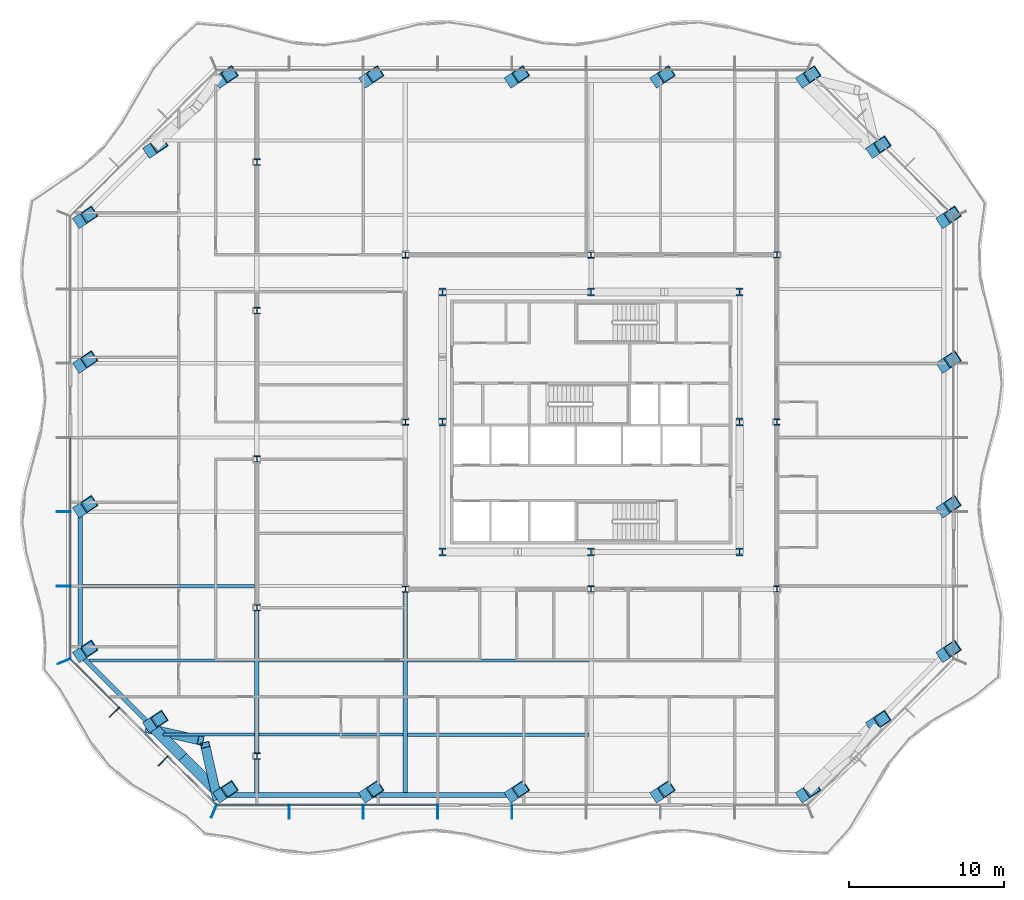
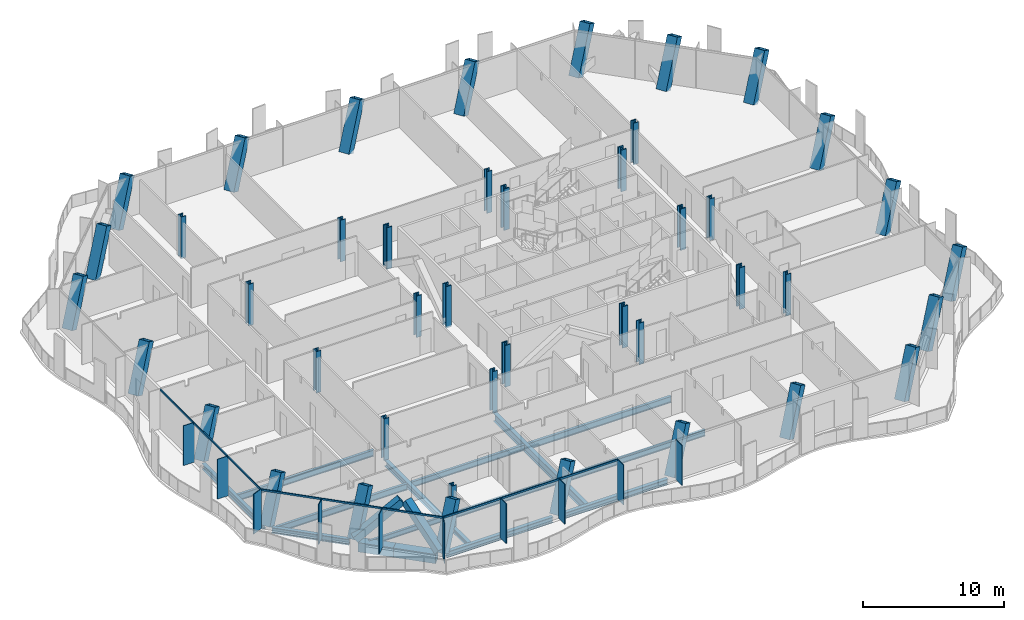
# One storey, part 1 of 19: 43 columns, 21 members, 16 beams, 3 elements without a shape of their own.
"""IFC4 building model written with IfcOpenShell, lengths in metres."""

from ifc_helpers import new_model, si_unit, direction, frame, origin, origin_2d, place, context, subcontext, project, spatial, rectangle, hollow_rectangle, i_section, extrude, clip, halfspace, material, material_profile, profile_set, type_object, element, aggregate, save


model = new_model("IFC4")

# Units and contexts
model_context = context("Model", 3, precision=1e-05, world=origin(), true_north=direction((0.0, 1.0)))
body_context = subcontext(model_context, "Body", "Model", "MODEL_VIEW")
ifc_project = project(units=[si_unit("LENGTHUNIT", "METRE"), si_unit("AREAUNIT", "SQUARE_METRE"), si_unit("VOLUMEUNIT", "CUBIC_METRE"), si_unit("PLANEANGLEUNIT", "RADIAN"), si_unit("MASSUNIT", "GRAM", prefix="KILO")], contexts=[model_context])

# Site, building, storey
site_placement = place(None, origin())
site = spatial("IfcSite", under=ifc_project, at=site_placement, CompositionType="ELEMENT")
building_placement = place(site_placement, origin())
building = spatial("IfcBuilding", under=site, at=building_placement, Name="Cairn Pilgrim Tower", CompositionType="ELEMENT")
storey_placement = place(building_placement, frame((0.0, 0.0, 97.800048828125)))
storey = spatial("IfcBuildingStorey", under=building, at=storey_placement, Name="L23", CompositionType="ELEMENT", Elevation=97.800048828125)

# Columns
ifc_material_1 = material(Name="Structural steel S460M", Category="steel")
ifc_material_profile_1 = material_profile(ifc_material_1, hollow_rectangle(XDim=0.800048828125, YDim=0.800048828125, WallThickness=0.050048828125, at=origin_2d()), Name="BOX 800x800x50")
ifc_profile_set_1 = profile_set([ifc_material_profile_1], Name="Structural steel S460M")
column_type_1 = type_object("IfcColumnType", Name="BOX 800x800x50", PredefinedType="COLUMN", material=ifc_profile_set_1)
for number, where, z_axis, x_axis, name in (
    (1, (-16.739990234375, -21.70849609375, -0.150146484375), (0.375067615339, 0.250065254836, 0.892631868268), (-0.554731184678, 0.832029634536, 0.0), "PC1-S1"),
    (2, (-7.326416015625, -21.70849609375, -0.150146484375), (0.375067615339, 0.250065254836, 0.892631868268), (-0.554731184678, 0.832029634536, 0.0), "PC1-S2"),
    (3, (2.087158203125, -21.70849609375, -0.150146484375), (0.375119631758, 0.25005957702, 0.892611600759), (-0.554669210465, 0.832070950678, 0.0), "PC1-S3"),
    (4, (11.500732421875, -21.70849609375, -0.150146484375), (0.375119631758, 0.25005957702, 0.892611600759), (-0.554669210465, 0.832070950678, 0.0), "PC1-S4"),
    (5, (20.914306640625, -21.70849609375, -0.150146484375), (0.375119631758, 0.25005957702, 0.892611600759), (-0.554669210465, 0.832070950678, 0.0), "PC1-SE1"),
    (6, (25.45068359375, -17.172119140625, -0.150146484375), (0.375119631758, 0.25005957702, 0.892611600759), (-0.554669210465, 0.832070950678, 0.0), "PC1-SE2"),
    (7, (29.987060546875, -12.6357421875, -0.150146484375), (0.375119631758, 0.25005957702, 0.892611600759), (-0.554669210465, 0.832070950678, 0.0), "PC1-E1"),
    (8, (29.987060546875, -3.284423828125, -0.150146484375), (0.375113953119, 0.250116323106, 0.892598088219), (-0.554762160823, 0.832008981273, 0.0), "PC1-E2"),
    (9, (29.987060546875, 6.067138671875, -0.150146484375), (0.375119631758, 0.25005957702, 0.892611600759), (-0.554669210465, 0.832070950678, 0.0), "PC1-E3"),
    (10, (29.987060546875, 15.418701171875, -0.150146484375), (0.375119631758, 0.25005957702, 0.892611600759), (-0.554669210465, 0.832070950678, 0.0), "PC1-NE1"),
    (11, (25.45068359375, 19.955078125, -0.150146484375), (0.375119631758, 0.25005957702, 0.892611600759), (-0.554669210465, 0.832070950678, 0.0), "PC1-NE2"),
    (12, (20.914306640625, 24.491455078125, -0.150146484375), (0.375119631758, 0.25005957702, 0.892611600759), (-0.554669210465, 0.832070950678, 0.0), "PC1-N1"),
    (13, (11.500732421875, 24.491455078125, -0.150146484375), (0.375119631758, 0.25005957702, 0.892611600759), (-0.554669210465, 0.832070950678, 0.0), "PC1-N2"),
    (14, (2.087158203125, 24.491455078125, -0.150146484375), (0.375119631758, 0.25005957702, 0.892611600759), (-0.554669210465, 0.832070950678, 0.0), "PC1-N3"),
    (15, (-7.326416015625, 24.491455078125, -0.150146484375), (0.375067615339, 0.250065254836, 0.892631868268), (-0.554731184678, 0.832029634536, 0.0), "PC1-N4"),
    (16, (-16.739990234375, 24.491455078125, -0.150146484375), (0.375067615339, 0.250065254836, 0.892631868268), (-0.554731184678, 0.832029634536, 0.0), "PC1-NW1"),
    (17, (-21.276611328125, 19.955078125, -0.150146484375), (0.375119631758, 0.25005957702, 0.892611600759), (-0.554669210465, 0.832070950678, 0.0), "PC1-NW2"),
    (18, (-25.81298828125, 15.418701171875, -0.150146484375), (0.375119631758, 0.25005957702, 0.892611600759), (-0.554669210465, 0.832070950678, 0.0), "PC1-W1"),
    (19, (-25.81298828125, 6.067138671875, -0.150146484375), (0.375119631758, 0.25005957702, 0.892611600759), (-0.554669210465, 0.832070950678, 0.0), "PC1-W2"),
    (20, (-25.81298828125, -3.284423828125, -0.150146484375), (0.375113953119, 0.250116323106, 0.892598088219), (-0.554762160823, 0.832008981273, 0.0), "PC1-W3"),
    (21, (-25.81298828125, -12.6357421875, -0.150146484375), (0.375119631758, 0.25005957702, 0.892611600759), (-0.554669210465, 0.832070950678, 0.0), "PC1-SW1"),
    (22, (-21.276611328125, -17.172119140625, -0.150146484375), (0.375119631758, 0.25005957702, 0.892611600759), (-0.554669210465, 0.832070950678, 0.0), "PC1-SW2"),
):
    element("IfcColumn", number, at=place(storey_placement, frame(where, z_axis=z_axis, x_axis=x_axis)), inside=storey, type_object=column_type_1, Name=name, PredefinedType="COLUMN", context=body_context, shape_type="Clipping", body=[
        clip(extrude(hollow_rectangle(XDim=0.800048828125, YDim=0.800048828125, WallThickness=0.050048828125, at=origin_2d()), origin(), (0.0, 0.0, 1.0), 4.033203125), halfspace(frame((0.0, 0.0, 0.0244140625), z_axis=(0.0, 0.0, 1.0), x_axis=(1.0, 0.0, 0.0)), True)),
    ])
ifc_material_profile_2 = material_profile(ifc_material_1, i_section(OverallWidth=0.408935546875, OverallDepth=0.425048828125, WebThickness=0.03271484375, FlangeThickness=0.052490234375, FilletRadius=0.014892578125, at=origin_2d()), Name="HD 400x421")
ifc_profile_set_2 = profile_set([ifc_material_profile_2], Name="Structural steel S460M")
column_type_2 = type_object("IfcColumnType", Name="HD 400x421", PredefinedType="COLUMN", material=ifc_profile_set_2)
for number, where, z_axis, x_axis, name in (
    (23, (-4.800048828125, -8.39990234375, -0.150146484375), (0.0, 0.0, 1.0), (1.0, 0.0, 0.0), "IC-1"),
    (24, (7.199951171875, -8.39990234375, -0.150146484375), (0.0, 0.0, 1.0), (1.0, 0.0, 0.0), "IC-2"),
    (25, (19.199951171875, -8.39990234375, -0.150146484375), (0.0, 0.0, 1.0), (1.0, 0.0, 0.0), "IC-3"),
    (26, (-4.800048828125, 2.39990234375, -0.150146484375), (0.0, 0.0, 1.0), (1.0, 0.0, 0.0), "IC-4"),
    (27, (19.199951171875, 2.39990234375, -0.150146484375), (0.0, 0.0, 1.0), (1.0, 0.0, 0.0), "IC-5"),
    (28, (-4.800048828125, 13.199951171875, -0.150146484375), (0.0, 0.0, 1.0), (1.0, 0.0, 0.0), "IC-6"),
    (29, (7.199951171875, 13.199951171875, -0.150146484375), (0.0, 0.0, 1.0), (1.0, 0.0, 0.0), "IC-7"),
    (30, (19.199951171875, 13.199951171875, -0.150146484375), (0.0, 0.0, 1.0), (1.0, 0.0, 0.0), "IC-8"),
    (31, (-14.39990234375, -19.199951171875, -0.150146484375), (0.0, 0.0, 1.0), (1.0, 0.0, 0.0), "WC-WW-4"),
    (32, (-14.39990234375, -9.60009765625, -0.150146484375), (0.0, 0.0, 1.0), (1.0, 0.0, 0.0), "WC-WW-2"),
    (33, (-14.39990234375, 0.0, -0.150146484375), (0.0, 0.0, 1.0), (1.0, 0.0, 0.0), "WC-WW+0"),
    (34, (-14.39990234375, 9.60009765625, -0.150146484375), (0.0, 0.0, 1.0), (1.0, 0.0, 0.0), "WC-WW+2"),
    (35, (-14.39990234375, 19.199951171875, -0.150146484375), (0.0, 0.0, 1.0), (1.0, 0.0, 0.0), "WC-WW+4"),
):
    element("IfcColumn", number, at=place(storey_placement, frame(where, z_axis=z_axis, x_axis=x_axis)), inside=storey, type_object=column_type_2, Name=name, PredefinedType="COLUMN", context=body_context, shape_type="SweptSolid", body=[
        extrude(i_section(OverallWidth=0.408935546875, OverallDepth=0.425048828125, WebThickness=0.03271484375, FlangeThickness=0.052490234375, FilletRadius=0.014892578125, at=origin_2d()), origin(), (0.0, 0.0, 1.0), 3.60009765625),
    ])
ifc_material_profile_3 = material_profile(ifc_material_1, i_section(OverallWidth=0.43701171875, OverallDepth=0.513916015625, WebThickness=0.060546875, FlangeThickness=0.096923828125, FilletRadius=0.014892578125, at=origin_2d()), Name="HD 400x818")
ifc_profile_set_3 = profile_set([ifc_material_profile_3], Name="Structural steel S460M")
column_type_3 = type_object("IfcColumnType", Name="HD 400x818", PredefinedType="COLUMN", material=ifc_profile_set_3)
for number, where, z_axis, x_axis, name in (
    (36, (-2.39990234375, -6.0, -0.150146484375), (0.0, 0.0, 1.0), (1.0, 0.0, 0.0), "KC-1"),
    (37, (7.199951171875, -6.0, -0.150146484375), (0.0, 0.0, 1.0), (1.0, 0.0, 0.0), "KC-2"),
    (38, (16.800048828125, -6.0, -0.150146484375), (0.0, 0.0, 1.0), (1.0, 0.0, 0.0), "KC-3"),
    (39, (-2.39990234375, 2.39990234375, -0.150146484375), (0.0, 0.0, 1.0), (1.0, 0.0, 0.0), "KC-4"),
    (40, (16.800048828125, 2.39990234375, -0.150146484375), (0.0, 0.0, 1.0), (1.0, 0.0, 0.0), "KC-5"),
    (41, (-2.39990234375, 10.800048828125, -0.150146484375), (0.0, 0.0, 1.0), (1.0, 0.0, 0.0), "KC-6"),
    (42, (7.199951171875, 10.800048828125, -0.150146484375), (0.0, 0.0, 1.0), (1.0, 0.0, 0.0), "KC-7"),
    (43, (16.800048828125, 10.800048828125, -0.150146484375), (0.0, 0.0, 1.0), (1.0, 0.0, 0.0), "KC-8"),
):
    element("IfcColumn", number, at=place(storey_placement, frame(where, z_axis=z_axis, x_axis=x_axis)), inside=storey, type_object=column_type_3, Name=name, PredefinedType="COLUMN", context=body_context, shape_type="SweptSolid", body=[
        extrude(i_section(OverallWidth=0.43701171875, OverallDepth=0.513916015625, WebThickness=0.060546875, FlangeThickness=0.096923828125, FilletRadius=0.014892578125, at=origin_2d()), origin(), (0.0, 0.0, 1.0), 3.60009765625),
    ])

# Members
ifc_material_profile_4 = material_profile(ifc_material_1, hollow_rectangle(XDim=0.60009765625, YDim=0.60009765625, WallThickness=0.034912109375, at=origin_2d()), Name="BOX 600x600x35")
ifc_profile_set_4 = profile_set([ifc_material_profile_4], Name="Structural steel S460M")
member_type_1 = type_object("IfcMemberType", Name="BOX 600x600x35 BRACE", PredefinedType="BRACE", material=ifc_profile_set_4)
member_1_placement = place(storey_placement, frame((-21.407470703125, -17.416259765625, 0.14990234375), z_axis=(0.781023546903, -0.176978476928, 0.598899689336), x_axis=(0.220995456501, 0.975274837267, 0.0)))
element("IfcMember", 44, at=member_1_placement, inside=storey, type_object=member_type_1, Name="XB-SW2-S1-1", PredefinedType="BRACE", context=body_context, shape_type="SweptSolid", body=[
    extrude(hollow_rectangle(XDim=0.60009765625, YDim=0.60009765625, WallThickness=0.034912109375, at=origin_2d()), origin(), (0.0, 0.0, 1.0), 4.31787109375),
])
member_2_placement = place(storey_placement, frame((-16.984130859375, -21.83935546875, 0.14990234375), z_axis=(-0.176986292734, 0.781001493686, 0.598926138222), x_axis=(-0.975271388606, -0.221010675234, 0.0)))
element("IfcMember", 45, at=member_2_placement, inside=storey, type_object=member_type_1, Name="XB-SW2-S1-2", PredefinedType="BRACE", context=body_context, shape_type="SweptSolid", body=[
    extrude(hollow_rectangle(XDim=0.60009765625, YDim=0.60009765625, WallThickness=0.034912109375, at=origin_2d()), origin(), (0.0, 0.0, 1.0), 4.317626953125),
])

# Beams
ifc_material_2 = material(Name="Structural steel S355J2", Category="steel")
ifc_material_profile_5 = material_profile(ifc_material_2, hollow_rectangle(XDim=0.699951171875, YDim=0.800048828125, WallThickness=0.0400390625, at=origin_2d()), Name="BOX 700x800x40")
ifc_profile_set_5 = profile_set([ifc_material_profile_5], Name="Structural steel S355J2")
beam_type_1 = type_object("IfcBeamType", Name="BOX 700x800x40 RING GIRDER", PredefinedType="SPANDREL", material=ifc_profile_set_5)
beam_1_placement = place(storey_placement, frame((-21.02197265625, -17.4267578125, -0.550048828125), z_axis=(0.707153847901, -0.707059711339, 0.0), x_axis=(0.707059711339, 0.707153847901, 0.0)))
element("IfcBeam", 46, at=beam_1_placement, inside=storey, type_object=beam_type_1, Name="RG1-SW2-S1-1", PredefinedType="SPANDREL", context=body_context, shape_type="SweptSolid", body=[
    extrude(hollow_rectangle(XDim=0.699951171875, YDim=0.800048828125, WallThickness=0.0400390625, at=origin_2d()), origin(), (0.0, 0.0, 1.0), 2.593505859375),
])
beam_2_placement = place(storey_placement, frame((-19.18798828125, -19.260498046875, -0.550048828125), z_axis=(0.70706742861, -0.707146131574, 0.0), x_axis=(0.707146131574, 0.70706742861, 0.0)))
element("IfcBeam", 47, at=beam_2_placement, inside=storey, type_object=beam_type_1, Name="RG1-SW2-S1-2", PredefinedType="SPANDREL", context=body_context, shape_type="SweptSolid", body=[
    extrude(hollow_rectangle(XDim=0.699951171875, YDim=0.800048828125, WallThickness=0.0400390625, at=origin_2d()), origin(), (0.0, 0.0, 1.0), 3.10205078125),
])

# Curtain wall, members
ifc_material_3 = material(Name="Aluminium alloy 6063-T6 bronze anodised with Bronze tinted laminated low-E glass 8+16+8.8", Category="aluminium")
curtain_wall_type_1 = type_object("IfcCurtainWallType", Name="TOWER STICK CURTAIN WALL NS", PredefinedType="NOTDEFINED", material=ifc_material_3)
curtain_wall_1_placement = place(storey_placement, origin())
curtain_wall_1 = element("IfcCurtainWall", 48, at=curtain_wall_1_placement, inside=storey, type_object=curtain_wall_type_1, Name="Tower Stick Curtain Wall Ns S", PredefinedType="NOTDEFINED")
ifc_material_4 = material(Name="Aluminium alloy 6063-T6 bronze anodised", Category="aluminium")
ifc_material_profile_6 = material_profile(ifc_material_4, rectangle(XDim=0.89990234375, YDim=0.06005859375, at=origin_2d()), Name="FIN MULLION 60x900 BRONZE")
ifc_profile_set_6 = profile_set([ifc_material_profile_6], Name="Aluminium alloy 6063-T6 bronze anodised")
member_type_2 = type_object("IfcMemberType", Name="FIN MULLION 60x900 BRONZE", PredefinedType="MULLION", material=ifc_profile_set_6)
member_3_placement = place(storey_placement, frame((-17.170166015625, -22.74658203125, 0.0), z_axis=(0.0, 0.0, 1.0), x_axis=(-0.382683432365, -0.923879532511, 0.0)))
member_3 = element("IfcMember", 49, at=member_3_placement, type_object=member_type_2, Name="Fin mullion S1", PredefinedType="MULLION", context=body_context, shape_type="SweptSolid", body=[
    extrude(rectangle(XDim=0.89990234375, YDim=0.06005859375, at=origin_2d()), origin(), (0.0, 0.0, 1.0), 3.449951171875),
])
member_4_placement = place(storey_placement, frame((-12.31298828125, -22.778564453125, 0.0), z_axis=(0.0, 0.0, 1.0), x_axis=(0.0, -1.0, 0.0)))
member_4 = element("IfcMember", 50, at=member_4_placement, type_object=member_type_2, Name="Fin mullion S2", PredefinedType="MULLION", context=body_context, shape_type="SweptSolid", body=[
    extrude(rectangle(XDim=0.89990234375, YDim=0.06005859375, at=origin_2d()), origin(), (0.0, 0.0, 1.0), 3.449951171875),
])
member_5_placement = place(storey_placement, frame((-7.512939453125, -22.778564453125, 0.0), z_axis=(0.0, 0.0, 1.0), x_axis=(0.0, -1.0, 0.0)))
member_5 = element("IfcMember", 51, at=member_5_placement, type_object=member_type_2, Name="Fin mullion S3", PredefinedType="MULLION", context=body_context, shape_type="SweptSolid", body=[
    extrude(rectangle(XDim=0.89990234375, YDim=0.06005859375, at=origin_2d()), origin(), (0.0, 0.0, 1.0), 3.449951171875),
])
member_6_placement = place(storey_placement, frame((-2.712890625, -22.778564453125, 0.0), z_axis=(0.0, 0.0, 1.0), x_axis=(0.0, -1.0, 0.0)))
member_6 = element("IfcMember", 52, at=member_6_placement, type_object=member_type_2, Name="Fin mullion S4", PredefinedType="MULLION", context=body_context, shape_type="SweptSolid", body=[
    extrude(rectangle(XDim=0.89990234375, YDim=0.06005859375, at=origin_2d()), origin(), (0.0, 0.0, 1.0), 3.449951171875),
])
member_7_placement = place(storey_placement, frame((2.087158203125, -22.778564453125, 0.0), z_axis=(0.0, 0.0, 1.0), x_axis=(0.0, -1.0, 0.0)))
member_7 = element("IfcMember", 53, at=member_7_placement, type_object=member_type_2, Name="Fin mullion S5", PredefinedType="MULLION", context=body_context, shape_type="SweptSolid", body=[
    extrude(rectangle(XDim=0.89990234375, YDim=0.06005859375, at=origin_2d()), origin(), (0.0, 0.0, 1.0), 3.449951171875),
])

curtain_wall_type_2 = type_object("IfcCurtainWallType", Name="TOWER STICK CURTAIN WALL EW", PredefinedType="NOTDEFINED", material=ifc_material_3)
curtain_wall_2_placement = place(storey_placement, origin())
curtain_wall_2 = element("IfcCurtainWall", 54, at=curtain_wall_2_placement, inside=storey, type_object=curtain_wall_type_2, Name="Tower Stick Curtain Wall Ew W", PredefinedType="NOTDEFINED")
member_8_placement = place(storey_placement, frame((-26.8828125, -3.40869140625, 0.0), z_axis=(0.0, 0.0, 1.0), x_axis=(-1.0, 0.0, 0.0)))
member_8 = element("IfcMember", 55, at=member_8_placement, type_object=member_type_2, Name="Fin mullion W5", PredefinedType="MULLION", context=body_context, shape_type="SweptSolid", body=[
    extrude(rectangle(XDim=0.89990234375, YDim=0.06005859375, at=origin_2d()), origin(), (0.0, 0.0, 1.0), 3.449951171875),
])
member_9_placement = place(storey_placement, frame((-26.8828125, -8.208740234375, 0.0), z_axis=(0.0, 0.0, 1.0), x_axis=(-1.0, 0.0, 0.0)))
member_9 = element("IfcMember", 56, at=member_9_placement, type_object=member_type_2, Name="Fin mullion W6", PredefinedType="MULLION", context=body_context, shape_type="SweptSolid", body=[
    extrude(rectangle(XDim=0.89990234375, YDim=0.06005859375, at=origin_2d()), origin(), (0.0, 0.0, 1.0), 3.449951171875),
])

curtain_wall_type_3 = type_object("IfcCurtainWallType", Name="CHAMFER CORNER CURTAIN WALL", PredefinedType="NOTDEFINED", material=ifc_material_3)
curtain_wall_3_placement = place(storey_placement, origin())
curtain_wall_3 = element("IfcCurtainWall", 57, at=curtain_wall_3_placement, inside=storey, type_object=curtain_wall_type_3, Name="Chamfer Corner Curtain Wall SW", PredefinedType="NOTDEFINED")
member_10_placement = place(storey_placement, frame((-26.85107421875, -13.06591796875, 0.0), z_axis=(0.0, 0.0, 1.0), x_axis=(-0.923879532511, -0.382683432365, 0.0)))
member_10 = element("IfcMember", 58, at=member_10_placement, type_object=member_type_2, Name="Fin mullion SW1", PredefinedType="MULLION", context=body_context, shape_type="SweptSolid", body=[
    extrude(rectangle(XDim=0.89990234375, YDim=0.06005859375, at=origin_2d()), origin(), (0.0, 0.0, 1.0), 3.449951171875),
])
member_11_placement = place(storey_placement, frame((-23.608642578125, -16.353271484375, 0.0), z_axis=(0.0, 0.0, 1.0), x_axis=(-0.707106781187, -0.707106781187, 0.0)))
member_11 = element("IfcMember", 59, at=member_11_placement, type_object=member_type_2, Name="Fin mullion SW2", PredefinedType="MULLION", context=body_context, shape_type="SweptSolid", body=[
    extrude(rectangle(XDim=0.89990234375, YDim=0.06005859375, at=origin_2d()), origin(), (0.0, 0.0, 1.0), 3.449951171875),
])
member_12_placement = place(storey_placement, frame((-20.45751953125, -19.50439453125, 0.0), z_axis=(0.0, 0.0, 1.0), x_axis=(-0.707106781187, -0.707106781187, 0.0)))
member_12 = element("IfcMember", 60, at=member_12_placement, type_object=member_type_2, Name="Fin mullion SW3", PredefinedType="MULLION", context=body_context, shape_type="SweptSolid", body=[
    extrude(rectangle(XDim=0.89990234375, YDim=0.06005859375, at=origin_2d()), origin(), (0.0, 0.0, 1.0), 3.449951171875),
])

# Beams
ifc_material_profile_7 = material_profile(ifc_material_2, i_section(OverallWidth=0.300048828125, OverallDepth=0.39990234375, WebThickness=0.013427734375, FlangeThickness=0.02392578125, FilletRadius=0.027099609375, at=origin_2d()), Name="HEB 400")
ifc_profile_set_7 = profile_set([ifc_material_profile_7], Name="Structural steel S355J2")
beam_type_2 = type_object("IfcBeamType", Name="HEB 400 GIRDER", PredefinedType="BEAM", material=ifc_profile_set_7)
beam_3_placement = place(storey_placement, frame((-14.39990234375, -21.588623046875, -0.35009765625), z_axis=(0.0, 1.0, 0.0), x_axis=(-1.0, 0.0, 0.0)))
element("IfcBeam", 61, at=beam_3_placement, inside=storey, type_object=beam_type_2, Name="PG1-E1", PredefinedType="BEAM", context=body_context, shape_type="SweptSolid", body=[
    extrude(i_section(OverallWidth=0.300048828125, OverallDepth=0.39990234375, WebThickness=0.013427734375, FlangeThickness=0.02392578125, FilletRadius=0.027099609375, at=origin_2d()), origin(), (0.0, 0.0, 1.0), 2.18408203125),
])
ifc_material_profile_8 = material_profile(ifc_material_2, i_section(OverallWidth=0.300048828125, OverallDepth=0.5, WebThickness=0.014404296875, FlangeThickness=0.028076171875, FilletRadius=0.027099609375, at=origin_2d()), Name="HEB 500")
ifc_profile_set_8 = profile_set([ifc_material_profile_8], Name="Structural steel S355J2")
beam_type_3 = type_object("IfcBeamType", Name="HEB 500 GIRDER", PredefinedType="BEAM", material=ifc_profile_set_8)
beam_4_placement = place(storey_placement, frame((-14.39990234375, -18.99560546875, -0.400146484375), z_axis=(0.0, 1.0, 0.0), x_axis=(-1.0, 0.0, 0.0)))
element("IfcBeam", 62, at=beam_4_placement, inside=storey, type_object=beam_type_3, Name="PG1-1", PredefinedType="BEAM", context=body_context, shape_type="SweptSolid", body=[
    extrude(i_section(OverallWidth=0.300048828125, OverallDepth=0.5, WebThickness=0.014404296875, FlangeThickness=0.028076171875, FilletRadius=0.027099609375, at=origin_2d()), origin(), (0.0, 0.0, 1.0), 9.191162109375),
])
ifc_material_profile_9 = material_profile(ifc_material_2, i_section(OverallWidth=0.300048828125, OverallDepth=0.5, WebThickness=0.014404296875, FlangeThickness=0.028076171875, FilletRadius=0.027099609375, at=origin_2d()), Name="HEB 500")
ifc_profile_set_9 = profile_set([ifc_material_profile_9], Name="Structural steel S355J2")
beam_type_4 = type_object("IfcBeamType", Name="HEB 500 RING GIRDER", PredefinedType="SPANDREL", material=ifc_profile_set_9)
for number, where, z_axis, x_axis, name in (
    (63, (-16.380126953125, -21.70849609375, -0.400146484375), (1.0, 0.0, 0.0), (0.0, 1.0, 0.0), "RG1-S1-S2"),
    (64, (-6.966552734375, -21.70849609375, -0.400146484375), (1.0, 0.0, 0.0), (0.0, 1.0, 0.0), "RG1-S2-S3"),
):
    element("IfcBeam", number, at=place(storey_placement, frame(where, z_axis=z_axis, x_axis=x_axis)), inside=storey, type_object=beam_type_4, Name=name, PredefinedType="SPANDREL", context=body_context, shape_type="SweptSolid", body=[
        extrude(i_section(OverallWidth=0.300048828125, OverallDepth=0.5, WebThickness=0.014404296875, FlangeThickness=0.028076171875, FilletRadius=0.027099609375, at=origin_2d()), origin(), (0.0, 0.0, 1.0), 8.693603515625),
    ])
beam_5_placement = place(storey_placement, frame((-25.81298828125, -3.644287109375, -0.400146484375), z_axis=(0.0, -1.0, 0.0), x_axis=(1.0, 0.0, 0.0)))
element("IfcBeam", 65, at=beam_5_placement, inside=storey, type_object=beam_type_4, Name="RG1-W3-SW1", PredefinedType="SPANDREL", context=body_context, shape_type="SweptSolid", body=[
    extrude(i_section(OverallWidth=0.300048828125, OverallDepth=0.5, WebThickness=0.014404296875, FlangeThickness=0.028076171875, FilletRadius=0.027099609375, at=origin_2d()), origin(), (0.0, 0.0, 1.0), 8.631591796875),
])
beam_6_placement = place(storey_placement, frame((-25.558349609375, -12.890380859375, -0.400146484375), z_axis=(0.707106781187, -0.707106781187, 0.0), x_axis=(0.707106781187, 0.707106781187, 0.0)))
element("IfcBeam", 66, at=beam_6_placement, inside=storey, type_object=beam_type_4, Name="RG1-SW1-SW2", PredefinedType="SPANDREL", context=body_context, shape_type="SweptSolid", body=[
    extrude(i_section(OverallWidth=0.300048828125, OverallDepth=0.5, WebThickness=0.014404296875, FlangeThickness=0.028076171875, FilletRadius=0.027099609375, at=origin_2d()), origin(), (0.0, 0.0, 1.0), 5.695556640625),
])
ifc_material_profile_10 = material_profile(ifc_material_2, i_section(OverallWidth=0.300048828125, OverallDepth=0.699951171875, WebThickness=0.01708984375, FlangeThickness=0.031982421875, FilletRadius=0.027099609375, at=origin_2d()), Name="HEB 700")
ifc_profile_set_10 = profile_set([ifc_material_profile_10], Name="Structural steel S355J2")
beam_type_5 = type_object("IfcBeamType", Name="HEB 700 GIRDER", PredefinedType="BEAM", material=ifc_profile_set_10)
beam_7_placement = place(storey_placement, frame((-4.800048828125, -21.588623046875, -0.5), z_axis=(0.0, 1.0, 0.0), x_axis=(-1.0, 0.0, 0.0)))
element("IfcBeam", 67, at=beam_7_placement, inside=storey, type_object=beam_type_5, Name="PG2-1", PredefinedType="BEAM", context=body_context, shape_type="SweptSolid", body=[
    extrude(i_section(OverallWidth=0.300048828125, OverallDepth=0.699951171875, WebThickness=0.01708984375, FlangeThickness=0.031982421875, FilletRadius=0.027099609375, at=origin_2d()), origin(), (0.0, 0.0, 1.0), 12.984130859375),
])
ifc_material_profile_11 = material_profile(ifc_material_2, i_section(OverallWidth=0.18994140625, OverallDepth=0.449951171875, WebThickness=0.009521484375, FlangeThickness=0.0146484375, FilletRadius=0.02099609375, at=origin_2d()), Name="IPE 450")
ifc_profile_set_11 = profile_set([ifc_material_profile_11], Name="Structural steel S355J2")
beam_type_6 = type_object("IfcBeamType", Name="IPE 450 SECONDARY BEAM", PredefinedType="JOIST", material=ifc_profile_set_11)
beam_8_placement = place(storey_placement, frame((-20.4580078125, -17.80859375, -0.375), z_axis=(1.0, 0.0, 0.0), x_axis=(0.0, 1.0, 0.0)))
element("IfcBeam", 68, at=beam_8_placement, inside=storey, type_object=beam_type_6, Name="SB1-1", PredefinedType="JOIST", context=body_context, shape_type="SweptSolid", body=[
    extrude(i_section(OverallWidth=0.18994140625, OverallDepth=0.449951171875, WebThickness=0.009521484375, FlangeThickness=0.0146484375, FilletRadius=0.02099609375, at=origin_2d()), origin(), (0.0, 0.0, 1.0), 5.907958984375),
])
ifc_material_profile_12 = material_profile(ifc_material_2, i_section(OverallWidth=0.199951171875, OverallDepth=0.5, WebThickness=0.01025390625, FlangeThickness=0.01611328125, FilletRadius=0.02099609375, at=origin_2d()), Name="IPE 500")
ifc_profile_set_12 = profile_set([ifc_material_profile_12], Name="Structural steel S355J2")
beam_type_7 = type_object("IfcBeamType", Name="IPE 500 SECONDARY BEAM", PredefinedType="JOIST", material=ifc_profile_set_12)
for number, where, z_axis, x_axis, name in (
    (69, (-14.25, -17.80859375, -0.400146484375), (1.0, 0.0, 0.0), (0.0, 1.0, 0.0), "SB1-2"),
    (70, (-14.25, -13.008544921875, -0.400146484375), (1.0, 0.0, 0.0), (0.0, 1.0, 0.0), "SB2-2"),
):
    element("IfcBeam", number, at=place(storey_placement, frame(where, z_axis=z_axis, x_axis=x_axis)), inside=storey, type_object=beam_type_7, Name=name, PredefinedType="JOIST", context=body_context, shape_type="SweptSolid", body=[
        extrude(i_section(OverallWidth=0.199951171875, OverallDepth=0.5, WebThickness=0.01025390625, FlangeThickness=0.01611328125, FilletRadius=0.02099609375, at=origin_2d()), origin(), (0.0, 0.0, 1.0), 9.300048828125),
    ])
ifc_material_profile_13 = material_profile(ifc_material_2, i_section(OverallWidth=0.2099609375, OverallDepth=0.550048828125, WebThickness=0.010986328125, FlangeThickness=0.01708984375, FilletRadius=0.02392578125, at=origin_2d()), Name="IPE 550")
ifc_profile_set_13 = profile_set([ifc_material_profile_13], Name="Structural steel S355J2")
beam_type_8 = type_object("IfcBeamType", Name="IPE 550 SECONDARY BEAM", PredefinedType="JOIST", material=ifc_profile_set_13)
beam_9_placement = place(storey_placement, frame((-4.64990234375, -17.80859375, -0.425048828125), z_axis=(1.0, 0.0, 0.0), x_axis=(0.0, 1.0, 0.0)))
element("IfcBeam", 71, at=beam_9_placement, inside=storey, type_object=beam_type_8, Name="SB1-3", PredefinedType="JOIST", context=body_context, shape_type="SweptSolid", body=[
    extrude(i_section(OverallWidth=0.2099609375, OverallDepth=0.550048828125, WebThickness=0.010986328125, FlangeThickness=0.01708984375, FilletRadius=0.02392578125, at=origin_2d()), origin(), (0.0, 0.0, 1.0), 11.699951171875),
])
beam_10_placement = place(storey_placement, frame((-25.258056640625, -13.008544921875, -0.425048828125), z_axis=(1.0, 0.0, 0.0), x_axis=(0.0, 1.0, 0.0)))
element("IfcBeam", 72, at=beam_10_placement, inside=storey, type_object=beam_type_8, Name="SB2-1", PredefinedType="JOIST", context=body_context, shape_type="SweptSolid", body=[
    extrude(i_section(OverallWidth=0.2099609375, OverallDepth=0.550048828125, WebThickness=0.010986328125, FlangeThickness=0.01708984375, FilletRadius=0.02392578125, at=origin_2d()), origin(), (0.0, 0.0, 1.0), 10.7080078125),
])
beam_11_placement = place(storey_placement, frame((-4.64990234375, -13.008544921875, -0.425048828125), z_axis=(1.0, 0.0, 0.0), x_axis=(0.0, 1.0, 0.0)))
element("IfcBeam", 73, at=beam_11_placement, inside=storey, type_object=beam_type_8, Name="SB2-3", PredefinedType="JOIST", context=body_context, shape_type="SweptSolid", body=[
    extrude(i_section(OverallWidth=0.2099609375, OverallDepth=0.550048828125, WebThickness=0.010986328125, FlangeThickness=0.01708984375, FilletRadius=0.02392578125, at=origin_2d()), origin(), (0.0, 0.0, 1.0), 11.699951171875),
])
beam_12_placement = place(storey_placement, frame((-25.69287109375, -8.20849609375, -0.425048828125), z_axis=(1.0, 0.0, 0.0), x_axis=(0.0, 1.0, 0.0)))
element("IfcBeam", 74, at=beam_12_placement, inside=storey, type_object=beam_type_8, Name="SB3-1", PredefinedType="JOIST", context=body_context, shape_type="SweptSolid", body=[
    extrude(i_section(OverallWidth=0.2099609375, OverallDepth=0.550048828125, WebThickness=0.010986328125, FlangeThickness=0.01708984375, FilletRadius=0.02392578125, at=origin_2d()), origin(), (0.0, 0.0, 1.0), 11.142822265625),
])

# Member
ifc_material_profile_14 = material_profile(ifc_material_4, rectangle(XDim=0.080078125, YDim=0.14990234375, at=origin_2d()), Name="TRANSOM 80x150 BRONZE")
ifc_profile_set_14 = profile_set([ifc_material_profile_14], Name="Aluminium alloy 6063-T6 bronze anodised")
member_type_3 = type_object("IfcMemberType", Name="TRANSOM 80x150 BRONZE", PredefinedType="USERDEFINED", material=ifc_profile_set_14)
member_13_placement = place(storey_placement, frame((-16.969482421875, -22.358642578125, 3.375), z_axis=(1.0, 0.0, 0.0), x_axis=(0.0, 1.0, 0.0)))
member_13 = element("IfcMember", 75, at=member_13_placement, type_object=member_type_3, Name="Transom S1", ObjectType="TRANSOM", PredefinedType="USERDEFINED", context=body_context, shape_type="SweptSolid", body=[
    extrude(rectangle(XDim=0.080078125, YDim=0.14990234375, at=origin_2d()), origin(), (0.0, 0.0, 1.0), 4.62646484375),
])

member_14_placement = place(storey_placement, frame((-12.282958984375, -22.358642578125, 3.375), z_axis=(1.0, 0.0, 0.0), x_axis=(0.0, 1.0, 0.0)))
member_14 = element("IfcMember", 76, at=member_14_placement, type_object=member_type_3, Name="Transom S2", ObjectType="TRANSOM", PredefinedType="USERDEFINED", context=body_context, shape_type="SweptSolid", body=[
    extrude(rectangle(XDim=0.080078125, YDim=0.14990234375, at=origin_2d()), origin(), (0.0, 0.0, 1.0), 4.739990234375),
])

member_15_placement = place(storey_placement, frame((-7.48291015625, -22.358642578125, 3.375), z_axis=(1.0, 0.0, 0.0), x_axis=(0.0, 1.0, 0.0)))
member_15 = element("IfcMember", 77, at=member_15_placement, type_object=member_type_3, Name="Transom S3", ObjectType="TRANSOM", PredefinedType="USERDEFINED", context=body_context, shape_type="SweptSolid", body=[
    extrude(rectangle(XDim=0.080078125, YDim=0.14990234375, at=origin_2d()), origin(), (0.0, 0.0, 1.0), 4.739990234375),
])

aggregate(curtain_wall_1, [member_3, member_4, member_5, member_6, member_7, member_13, member_14, member_15])

member_16_placement = place(storey_placement, frame((-26.462890625, 1.361328125, 3.375), z_axis=(0.0, -1.0, 0.0), x_axis=(1.0, 0.0, 0.0)))
member_16 = element("IfcMember", 78, at=member_16_placement, type_object=member_type_3, Name="Transom W4", ObjectType="TRANSOM", PredefinedType="USERDEFINED", context=body_context, shape_type="SweptSolid", body=[
    extrude(rectangle(XDim=0.080078125, YDim=0.14990234375, at=origin_2d()), origin(), (0.0, 0.0, 1.0), 4.739990234375),
])

member_17_placement = place(storey_placement, frame((-26.462890625, -3.438720703125, 3.375), z_axis=(0.0, -1.0, 0.0), x_axis=(1.0, 0.0, 0.0)))
member_17 = element("IfcMember", 79, at=member_17_placement, type_object=member_type_3, Name="Transom W5", ObjectType="TRANSOM", PredefinedType="USERDEFINED", context=body_context, shape_type="SweptSolid", body=[
    extrude(rectangle(XDim=0.080078125, YDim=0.14990234375, at=origin_2d()), origin(), (0.0, 0.0, 1.0), 4.739990234375),
])

member_18_placement = place(storey_placement, frame((-26.462890625, -8.238525390625, 3.375), z_axis=(0.0, -1.0, 0.0), x_axis=(1.0, 0.0, 0.0)))
member_18 = element("IfcMember", 80, at=member_18_placement, type_object=member_type_3, Name="Transom W6", ObjectType="TRANSOM", PredefinedType="USERDEFINED", context=body_context, shape_type="SweptSolid", body=[
    extrude(rectangle(XDim=0.080078125, YDim=0.14990234375, at=origin_2d()), origin(), (0.0, 0.0, 1.0), 4.62646484375),
])

aggregate(curtain_wall_2, [member_8, member_9, member_16, member_17, member_18])

member_19_placement = place(storey_placement, frame((-26.4345703125, -12.933349609375, 3.375), z_axis=(0.70707895165, -0.707134609628, 0.0), x_axis=(0.707134609628, 0.70707895165, 0.0)))
member_19 = element("IfcMember", 81, at=member_19_placement, type_object=member_type_3, Name="Transom SW1", ObjectType="TRANSOM", PredefinedType="USERDEFINED", context=body_context, shape_type="SweptSolid", body=[
    extrude(rectangle(XDim=0.080078125, YDim=0.14990234375, at=origin_2d()), origin(), (0.0, 0.0, 1.0), 4.386474609375),
])

member_20_placement = place(storey_placement, frame((-23.29052734375, -16.077392578125, 3.375), z_axis=(0.707079015032, -0.707134546251, 0.0), x_axis=(0.707134546251, 0.707079015032, 0.0)))
member_20 = element("IfcMember", 82, at=member_20_placement, type_object=member_type_3, Name="Transom SW2", ObjectType="TRANSOM", PredefinedType="USERDEFINED", context=body_context, shape_type="SweptSolid", body=[
    extrude(rectangle(XDim=0.080078125, YDim=0.14990234375, at=origin_2d()), origin(), (0.0, 0.0, 1.0), 4.396484375),
])

member_21_placement = place(storey_placement, frame((-20.139404296875, -19.228759765625, 3.375), z_axis=(0.707134609628, -0.70707895165, 0.0), x_axis=(0.70707895165, 0.707134609628, 0.0)))
member_21 = element("IfcMember", 83, at=member_21_placement, type_object=member_type_3, Name="Transom SW3", ObjectType="TRANSOM", PredefinedType="USERDEFINED", context=body_context, shape_type="SweptSolid", body=[
    extrude(rectangle(XDim=0.080078125, YDim=0.14990234375, at=origin_2d()), origin(), (0.0, 0.0, 1.0), 4.386474609375),
])

aggregate(curtain_wall_3, [member_10, member_11, member_12, member_19, member_20, member_21])

save(model, "model.ifc")
